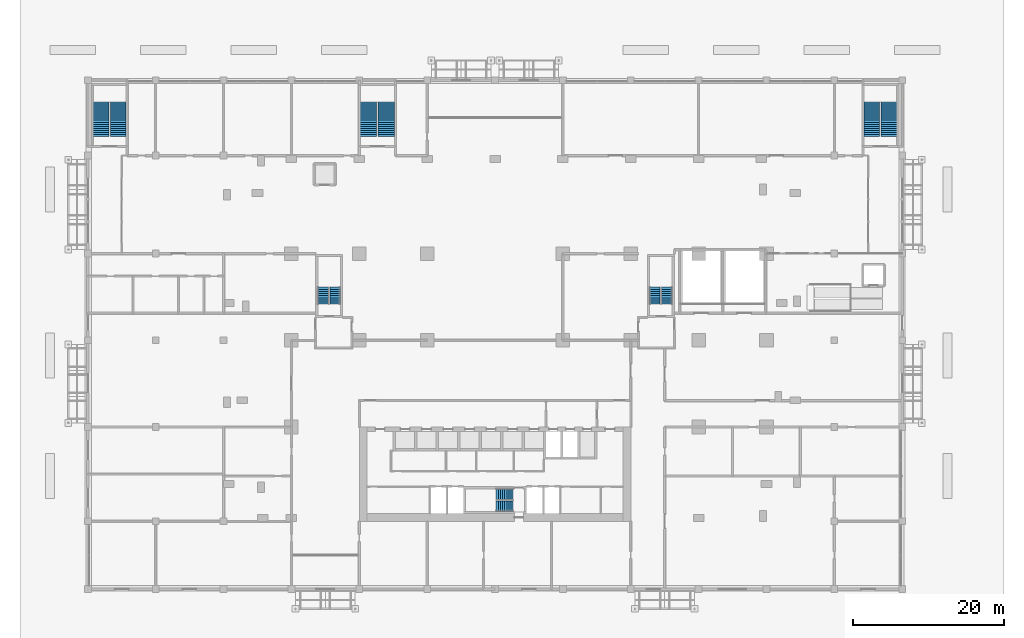
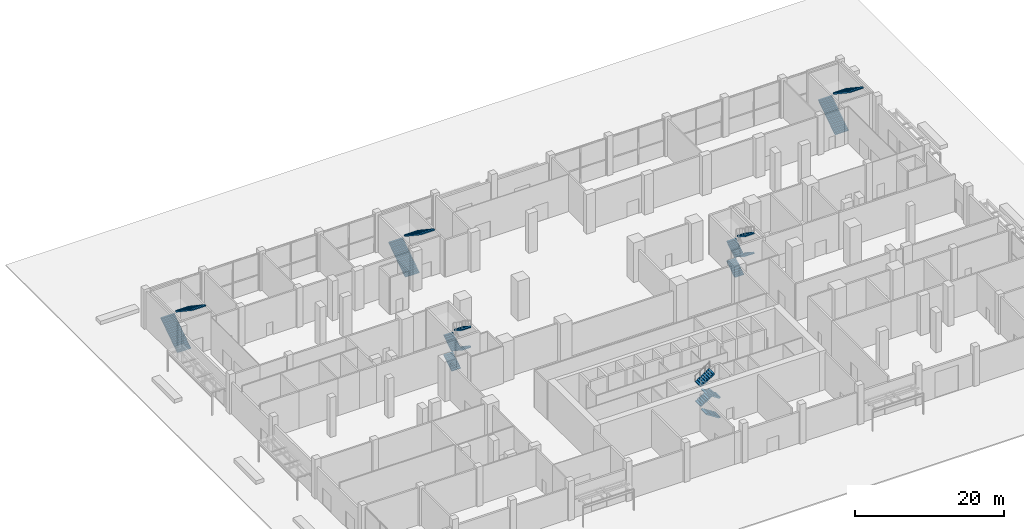
# One storey, part 37 of 39: 18 stair flights, 6 elements without a shape of their own.
"""IFC4 building model written with IfcOpenShell, lengths in metres."""

from ifc_helpers import new_model, si_unit, direction, frame, origin, place, context, subcontext, project, spatial, polyline, outline, extrude, material, layer, layer_set, type_object, element, aggregate, save


model = new_model("IFC4")

# Units and contexts
model_context = context("Model", 3, precision=1e-05, world=origin(), true_north=direction((0.0, 1.0)))
body_context = subcontext(model_context, "Body", "Model", "MODEL_VIEW")
ifc_project = project(units=[si_unit("LENGTHUNIT", "METRE"), si_unit("AREAUNIT", "SQUARE_METRE"), si_unit("VOLUMEUNIT", "CUBIC_METRE"), si_unit("PLANEANGLEUNIT", "RADIAN"), si_unit("MASSUNIT", "GRAM", prefix="KILO")], contexts=[model_context])

# Site, building, storey
site_placement = place(None, origin())
site = spatial("IfcSite", under=ifc_project, at=site_placement, CompositionType="ELEMENT")
building_placement = place(site_placement, origin())
building = spatial("IfcBuilding", under=site, at=building_placement, Name="Brigalow Station Residences", CompositionType="ELEMENT")
storey_placement = place(building_placement, origin())
storey = spatial("IfcBuildingStorey", under=building, at=storey_placement, Name="L00", CompositionType="ELEMENT", Elevation=0.0)

# Stair, stair flights
ifc_material_1 = material(Name="Concrete C50", Category="concrete")
stair_type_1 = type_object("IfcStairType", Name="EXIT STAIR 1400 4 FLIGHT", PredefinedType="DOUBLE_RETURN_STAIR", material=ifc_material_1)
stair_1_placement = place(storey_placement, origin())
stair_1 = element("IfcStair", 1, at=stair_1_placement, inside=storey, type_object=stair_type_1, Name="EXIT STAIR S2 L00", PredefinedType="DOUBLE_RETURN_STAIR")
ifc_material_2 = material(Name="Concrete C50", Category="concrete")
stair_flight_type_1 = type_object("IfcStairFlightType", Name="STAIR FLIGHT 1400", PredefinedType="STRAIGHT", material=ifc_material_2)
stair_flight_1_placement = place(storey_placement, frame((38.39990234375, 2.0, 0.0), z_axis=(0.0, 0.0, 1.0), x_axis=(-1.0, 0.0, 0.0)))
stair_flight_1 = element("IfcStairFlight", 2, at=stair_flight_1_placement, type_object=stair_flight_type_1, Name="ST-2 flight 1", NumberOfRisers=9, NumberOfTreads=8, PredefinedType="STRAIGHT", RiserHeight=0.180555556, TreadLength=0.28, context=body_context, shape_type="SweptSolid", body=[
    extrude(outline(polyline([(0.0, 0.0), (0.0, 0.1806640625), (0.280029296875, 0.1806640625), (0.280029296875, 0.361083984375), (0.56005859375, 0.361083984375), (0.56005859375, 0.541748046875), (0.840087890625, 0.541748046875), (0.840087890625, 0.72216796875), (1.1201171875, 0.72216796875), (1.1201171875, 0.90283203125), (1.39990234375, 0.90283203125), (1.39990234375, 1.083251953125), (1.679931640625, 1.083251953125), (1.679931640625, 1.263916015625), (1.9599609375, 1.263916015625), (1.9599609375, 1.4443359375), (2.239990234375, 1.4443359375), (2.239990234375, 1.625), (2.239990234375, 1.26611328125), (0.276611328125, 0.0), (0.0, 0.0)])), frame((0.0, 0.699951171875, 0.0), z_axis=(0.0, -1.0, 0.0), x_axis=(1.0, 0.0, 0.0)), (0.0, 0.0, 1.0), 1.39990234375),
])
stair_flight_2_placement = place(storey_placement, frame((36.159912109375, 3.60009765625, 1.625), z_axis=(0.0, 0.0, 1.0), x_axis=(1.0, 0.0, 0.0)))
stair_flight_2 = element("IfcStairFlight", 3, at=stair_flight_2_placement, type_object=stair_flight_type_1, Name="ST-2 flight 2", NumberOfRisers=9, NumberOfTreads=8, PredefinedType="STRAIGHT", RiserHeight=0.180555556, TreadLength=0.28, context=body_context, shape_type="SweptSolid", body=[
    extrude(outline(polyline([(0.0, 0.0), (0.0, 0.1806640625), (0.280029296875, 0.1806640625), (0.280029296875, 0.361083984375), (0.56005859375, 0.361083984375), (0.56005859375, 0.541748046875), (0.840087890625, 0.541748046875), (0.840087890625, 0.72216796875), (1.1201171875, 0.72216796875), (1.1201171875, 0.90283203125), (1.39990234375, 0.90283203125), (1.39990234375, 1.083251953125), (1.679931640625, 1.083251953125), (1.679931640625, 1.263916015625), (1.9599609375, 1.263916015625), (1.9599609375, 1.4443359375), (2.239990234375, 1.4443359375), (2.239990234375, 1.625), (2.239990234375, 1.26611328125), (0.276611328125, 0.0), (0.0, 0.0)])), frame((0.0, 0.699951171875, 0.0), z_axis=(0.0, -1.0, 0.0), x_axis=(1.0, 0.0, 0.0)), (0.0, 0.0, 1.0), 1.39990234375),
])
stair_flight_3_placement = place(storey_placement, frame((38.39990234375, 2.0, 3.25), z_axis=(0.0, 0.0, 1.0), x_axis=(-1.0, 0.0, 0.0)))
stair_flight_3 = element("IfcStairFlight", 4, at=stair_flight_3_placement, type_object=stair_flight_type_1, Name="ST-2 flight 3", NumberOfRisers=9, NumberOfTreads=8, PredefinedType="STRAIGHT", RiserHeight=0.180555556, TreadLength=0.28, context=body_context, shape_type="SweptSolid", body=[
    extrude(outline(polyline([(0.0, 0.0), (0.0, 0.1806640625), (0.280029296875, 0.1806640625), (0.280029296875, 0.361083984375), (0.56005859375, 0.361083984375), (0.56005859375, 0.541748046875), (0.840087890625, 0.541748046875), (0.840087890625, 0.72216796875), (1.1201171875, 0.72216796875), (1.1201171875, 0.90283203125), (1.39990234375, 0.90283203125), (1.39990234375, 1.083251953125), (1.679931640625, 1.083251953125), (1.679931640625, 1.263916015625), (1.9599609375, 1.263916015625), (1.9599609375, 1.4443359375), (2.239990234375, 1.4443359375), (2.239990234375, 1.625), (2.239990234375, 1.26611328125), (0.276611328125, 0.0), (0.0, 0.0)])), frame((0.0, 0.699951171875, 0.0), z_axis=(0.0, -1.0, 0.0), x_axis=(1.0, 0.0, 0.0)), (0.0, 0.0, 1.0), 1.39990234375),
])
stair_flight_4_placement = place(storey_placement, frame((36.159912109375, 3.60009765625, 4.875), z_axis=(0.0, 0.0, 1.0), x_axis=(1.0, 0.0, 0.0)))
stair_flight_4 = element("IfcStairFlight", 5, at=stair_flight_4_placement, type_object=stair_flight_type_1, Name="ST-2 flight 4", NumberOfRisers=9, NumberOfTreads=8, PredefinedType="STRAIGHT", RiserHeight=0.180555556, TreadLength=0.28, context=body_context, shape_type="SweptSolid", body=[
    extrude(outline(polyline([(0.0, 0.0), (0.0, 0.1806640625), (0.280029296875, 0.1806640625), (0.280029296875, 0.361083984375), (0.56005859375, 0.361083984375), (0.56005859375, 0.541748046875), (0.840087890625, 0.541748046875), (0.840087890625, 0.72216796875), (1.1201171875, 0.72216796875), (1.1201171875, 0.90283203125), (1.39990234375, 0.90283203125), (1.39990234375, 1.083251953125), (1.679931640625, 1.083251953125), (1.679931640625, 1.263916015625), (1.9599609375, 1.263916015625), (1.9599609375, 1.4443359375), (2.239990234375, 1.4443359375), (2.239990234375, 1.625), (2.239990234375, 1.26611328125), (0.276611328125, 0.0), (0.0, 0.0)])), frame((0.0, 0.699951171875, 0.0), z_axis=(0.0, -1.0, 0.0), x_axis=(1.0, 0.0, 0.0)), (0.0, 0.0, 1.0), 1.39990234375),
])
aggregate(stair_1, [stair_flight_1, stair_flight_2, stair_flight_3, stair_flight_4])

stair_2_placement = place(storey_placement, origin())
stair_2 = element("IfcStair", 6, at=stair_2_placement, inside=storey, type_object=stair_type_1, Name="EXIT STAIR S1 L00", PredefinedType="DOUBLE_RETURN_STAIR")
stair_flight_5_placement = place(storey_placement, frame((13.199951171875, 28.800048828125, 0.0), z_axis=(0.0, 0.0, 1.0), x_axis=(0.0, 1.0, 0.0)))
stair_flight_5 = element("IfcStairFlight", 7, at=stair_flight_5_placement, type_object=stair_flight_type_1, Name="ST-1 flight 1", NumberOfRisers=9, NumberOfTreads=8, PredefinedType="STRAIGHT", RiserHeight=0.180555556, TreadLength=0.28, context=body_context, shape_type="SweptSolid", body=[
    extrude(outline(polyline([(0.0, 0.0), (0.0, 0.1806640625), (0.280029296875, 0.1806640625), (0.280029296875, 0.361083984375), (0.56005859375, 0.361083984375), (0.56005859375, 0.541748046875), (0.840087890625, 0.541748046875), (0.840087890625, 0.72216796875), (1.1201171875, 0.72216796875), (1.1201171875, 0.90283203125), (1.39990234375, 0.90283203125), (1.39990234375, 1.083251953125), (1.679931640625, 1.083251953125), (1.679931640625, 1.263916015625), (1.9599609375, 1.263916015625), (1.9599609375, 1.4443359375), (2.239990234375, 1.4443359375), (2.239990234375, 1.625), (2.239990234375, 1.26611328125), (0.276611328125, 0.0), (0.0, 0.0)])), frame((0.0, 0.699951171875, 0.0), z_axis=(0.0, -1.0, 0.0), x_axis=(1.0, 0.0, 0.0)), (0.0, 0.0, 1.0), 1.39990234375),
])
stair_flight_6_placement = place(storey_placement, frame((14.800048828125, 31.0400390625, 1.625), z_axis=(0.0, 0.0, 1.0), x_axis=(0.0, -1.0, 0.0)))
stair_flight_6 = element("IfcStairFlight", 8, at=stair_flight_6_placement, type_object=stair_flight_type_1, Name="ST-1 flight 2", NumberOfRisers=9, NumberOfTreads=8, PredefinedType="STRAIGHT", RiserHeight=0.180555556, TreadLength=0.28, context=body_context, shape_type="SweptSolid", body=[
    extrude(outline(polyline([(0.0, 0.0), (0.0, 0.1806640625), (0.280029296875, 0.1806640625), (0.280029296875, 0.361083984375), (0.56005859375, 0.361083984375), (0.56005859375, 0.541748046875), (0.840087890625, 0.541748046875), (0.840087890625, 0.72216796875), (1.1201171875, 0.72216796875), (1.1201171875, 0.90283203125), (1.39990234375, 0.90283203125), (1.39990234375, 1.083251953125), (1.679931640625, 1.083251953125), (1.679931640625, 1.263916015625), (1.9599609375, 1.263916015625), (1.9599609375, 1.4443359375), (2.239990234375, 1.4443359375), (2.239990234375, 1.625), (2.239990234375, 1.26611328125), (0.276611328125, 0.0), (0.0, 0.0)])), frame((0.0, 0.699951171875, 0.0), z_axis=(0.0, -1.0, 0.0), x_axis=(1.0, 0.0, 0.0)), (0.0, 0.0, 1.0), 1.39990234375),
])
stair_flight_7_placement = place(storey_placement, frame((13.199951171875, 28.800048828125, 3.25), z_axis=(0.0, 0.0, 1.0), x_axis=(0.0, 1.0, 0.0)))
stair_flight_7 = element("IfcStairFlight", 9, at=stair_flight_7_placement, type_object=stair_flight_type_1, Name="ST-1 flight 3", NumberOfRisers=9, NumberOfTreads=8, PredefinedType="STRAIGHT", RiserHeight=0.180555556, TreadLength=0.28, context=body_context, shape_type="SweptSolid", body=[
    extrude(outline(polyline([(0.0, 0.0), (0.0, 0.1806640625), (0.280029296875, 0.1806640625), (0.280029296875, 0.361083984375), (0.56005859375, 0.361083984375), (0.56005859375, 0.541748046875), (0.840087890625, 0.541748046875), (0.840087890625, 0.72216796875), (1.1201171875, 0.72216796875), (1.1201171875, 0.90283203125), (1.39990234375, 0.90283203125), (1.39990234375, 1.083251953125), (1.679931640625, 1.083251953125), (1.679931640625, 1.263916015625), (1.9599609375, 1.263916015625), (1.9599609375, 1.4443359375), (2.239990234375, 1.4443359375), (2.239990234375, 1.625), (2.239990234375, 1.26611328125), (0.276611328125, 0.0), (0.0, 0.0)])), frame((0.0, 0.699951171875, 0.0), z_axis=(0.0, -1.0, 0.0), x_axis=(1.0, 0.0, 0.0)), (0.0, 0.0, 1.0), 1.39990234375),
])
stair_flight_8_placement = place(storey_placement, frame((14.800048828125, 31.0400390625, 4.875), z_axis=(0.0, 0.0, 1.0), x_axis=(0.0, -1.0, 0.0)))
stair_flight_8 = element("IfcStairFlight", 10, at=stair_flight_8_placement, type_object=stair_flight_type_1, Name="ST-1 flight 4", NumberOfRisers=9, NumberOfTreads=8, PredefinedType="STRAIGHT", RiserHeight=0.180555556, TreadLength=0.28, context=body_context, shape_type="SweptSolid", body=[
    extrude(outline(polyline([(0.0, 0.0), (0.0, 0.1806640625), (0.280029296875, 0.1806640625), (0.280029296875, 0.361083984375), (0.56005859375, 0.361083984375), (0.56005859375, 0.541748046875), (0.840087890625, 0.541748046875), (0.840087890625, 0.72216796875), (1.1201171875, 0.72216796875), (1.1201171875, 0.90283203125), (1.39990234375, 0.90283203125), (1.39990234375, 1.083251953125), (1.679931640625, 1.083251953125), (1.679931640625, 1.263916015625), (1.9599609375, 1.263916015625), (1.9599609375, 1.4443359375), (2.239990234375, 1.4443359375), (2.239990234375, 1.625), (2.239990234375, 1.26611328125), (0.276611328125, 0.0), (0.0, 0.0)])), frame((0.0, 0.699951171875, 0.0), z_axis=(0.0, -1.0, 0.0), x_axis=(1.0, 0.0, 0.0)), (0.0, 0.0, 1.0), 1.39990234375),
])
aggregate(stair_2, [stair_flight_5, stair_flight_6, stair_flight_7, stair_flight_8])

stair_3_placement = place(storey_placement, origin())
stair_3 = element("IfcStair", 11, at=stair_3_placement, inside=storey, type_object=stair_type_1, Name="EXIT STAIR S3 L00", PredefinedType="DOUBLE_RETURN_STAIR")
stair_flight_9_placement = place(storey_placement, frame((57.199951171875, 28.800048828125, 0.0), z_axis=(0.0, 0.0, 1.0), x_axis=(0.0, 1.0, 0.0)))
stair_flight_9 = element("IfcStairFlight", 12, at=stair_flight_9_placement, type_object=stair_flight_type_1, Name="ST-3 flight 1", NumberOfRisers=9, NumberOfTreads=8, PredefinedType="STRAIGHT", RiserHeight=0.180555556, TreadLength=0.28, context=body_context, shape_type="SweptSolid", body=[
    extrude(outline(polyline([(0.0, 0.0), (0.0, 0.1806640625), (0.280029296875, 0.1806640625), (0.280029296875, 0.361083984375), (0.56005859375, 0.361083984375), (0.56005859375, 0.541748046875), (0.840087890625, 0.541748046875), (0.840087890625, 0.72216796875), (1.1201171875, 0.72216796875), (1.1201171875, 0.90283203125), (1.39990234375, 0.90283203125), (1.39990234375, 1.083251953125), (1.679931640625, 1.083251953125), (1.679931640625, 1.263916015625), (1.9599609375, 1.263916015625), (1.9599609375, 1.4443359375), (2.239990234375, 1.4443359375), (2.239990234375, 1.625), (2.239990234375, 1.26611328125), (0.276611328125, 0.0), (0.0, 0.0)])), frame((0.0, 0.699951171875, 0.0), z_axis=(0.0, -1.0, 0.0), x_axis=(1.0, 0.0, 0.0)), (0.0, 0.0, 1.0), 1.39990234375),
])
stair_flight_10_placement = place(storey_placement, frame((58.800048828125, 31.0400390625, 1.625), z_axis=(0.0, 0.0, 1.0), x_axis=(0.0, -1.0, 0.0)))
stair_flight_10 = element("IfcStairFlight", 13, at=stair_flight_10_placement, type_object=stair_flight_type_1, Name="ST-3 flight 2", NumberOfRisers=9, NumberOfTreads=8, PredefinedType="STRAIGHT", RiserHeight=0.180555556, TreadLength=0.28, context=body_context, shape_type="SweptSolid", body=[
    extrude(outline(polyline([(0.0, 0.0), (0.0, 0.1806640625), (0.280029296875, 0.1806640625), (0.280029296875, 0.361083984375), (0.56005859375, 0.361083984375), (0.56005859375, 0.541748046875), (0.840087890625, 0.541748046875), (0.840087890625, 0.72216796875), (1.1201171875, 0.72216796875), (1.1201171875, 0.90283203125), (1.39990234375, 0.90283203125), (1.39990234375, 1.083251953125), (1.679931640625, 1.083251953125), (1.679931640625, 1.263916015625), (1.9599609375, 1.263916015625), (1.9599609375, 1.4443359375), (2.239990234375, 1.4443359375), (2.239990234375, 1.625), (2.239990234375, 1.26611328125), (0.276611328125, 0.0), (0.0, 0.0)])), frame((0.0, 0.699951171875, 0.0), z_axis=(0.0, -1.0, 0.0), x_axis=(1.0, 0.0, 0.0)), (0.0, 0.0, 1.0), 1.39990234375),
])
stair_flight_11_placement = place(storey_placement, frame((57.199951171875, 28.800048828125, 3.25), z_axis=(0.0, 0.0, 1.0), x_axis=(0.0, 1.0, 0.0)))
stair_flight_11 = element("IfcStairFlight", 14, at=stair_flight_11_placement, type_object=stair_flight_type_1, Name="ST-3 flight 3", NumberOfRisers=9, NumberOfTreads=8, PredefinedType="STRAIGHT", RiserHeight=0.180555556, TreadLength=0.28, context=body_context, shape_type="SweptSolid", body=[
    extrude(outline(polyline([(0.0, 0.0), (0.0, 0.1806640625), (0.280029296875, 0.1806640625), (0.280029296875, 0.361083984375), (0.56005859375, 0.361083984375), (0.56005859375, 0.541748046875), (0.840087890625, 0.541748046875), (0.840087890625, 0.72216796875), (1.1201171875, 0.72216796875), (1.1201171875, 0.90283203125), (1.39990234375, 0.90283203125), (1.39990234375, 1.083251953125), (1.679931640625, 1.083251953125), (1.679931640625, 1.263916015625), (1.9599609375, 1.263916015625), (1.9599609375, 1.4443359375), (2.239990234375, 1.4443359375), (2.239990234375, 1.625), (2.239990234375, 1.26611328125), (0.276611328125, 0.0), (0.0, 0.0)])), frame((0.0, 0.699951171875, 0.0), z_axis=(0.0, -1.0, 0.0), x_axis=(1.0, 0.0, 0.0)), (0.0, 0.0, 1.0), 1.39990234375),
])
stair_flight_12_placement = place(storey_placement, frame((58.800048828125, 31.0400390625, 4.875), z_axis=(0.0, 0.0, 1.0), x_axis=(0.0, -1.0, 0.0)))
stair_flight_12 = element("IfcStairFlight", 15, at=stair_flight_12_placement, type_object=stair_flight_type_1, Name="ST-3 flight 4", NumberOfRisers=9, NumberOfTreads=8, PredefinedType="STRAIGHT", RiserHeight=0.180555556, TreadLength=0.28, context=body_context, shape_type="SweptSolid", body=[
    extrude(outline(polyline([(0.0, 0.0), (0.0, 0.1806640625), (0.280029296875, 0.1806640625), (0.280029296875, 0.361083984375), (0.56005859375, 0.361083984375), (0.56005859375, 0.541748046875), (0.840087890625, 0.541748046875), (0.840087890625, 0.72216796875), (1.1201171875, 0.72216796875), (1.1201171875, 0.90283203125), (1.39990234375, 0.90283203125), (1.39990234375, 1.083251953125), (1.679931640625, 1.083251953125), (1.679931640625, 1.263916015625), (1.9599609375, 1.263916015625), (1.9599609375, 1.4443359375), (2.239990234375, 1.4443359375), (2.239990234375, 1.625), (2.239990234375, 1.26611328125), (0.276611328125, 0.0), (0.0, 0.0)])), frame((0.0, 0.699951171875, 0.0), z_axis=(0.0, -1.0, 0.0), x_axis=(1.0, 0.0, 0.0)), (0.0, 0.0, 1.0), 1.39990234375),
])
aggregate(stair_3, [stair_flight_9, stair_flight_10, stair_flight_11, stair_flight_12])

ifc_material_3 = material(Name="Concrete C50", Category="concrete")
stair_type_2 = type_object("IfcStairType", Name="STAIR EXIT 2087 2 FLIGHTS", PredefinedType="TWO_STRAIGHT_RUN_STAIR", material=ifc_material_3)
stair_4_placement = place(storey_placement, origin())
stair_4 = element("IfcStair", 16, at=stair_4_placement, inside=storey, type_object=stair_type_2, Name="Exit stair ST-4", PredefinedType="TWO_STRAIGHT_RUN_STAIR")
ifc_material_4 = material(Name="Concrete C50", Category="concrete")
ifc_layer_1 = layer(ifc_material_4, 0.14990234375)
ifc_layer_set_1 = layer_set([ifc_layer_1], Name="STAIR FLIGHT 2087")
stair_flight_type_2 = type_object("IfcStairFlightType", Name="STAIR FLIGHT 2087", PredefinedType="STRAIGHT", material=ifc_layer_set_1)
stair_flight_13_placement = place(storey_placement, frame((-16.256103515625, 51.02490234375, 0.0), z_axis=(0.0, 0.0, 1.0), x_axis=(0.0, 1.0, 0.0)))
stair_flight_13 = element("IfcStairFlight", 17, at=stair_flight_13_placement, type_object=stair_flight_type_2, Name="ST-4 flight 1", NumberOfRisers=18, NumberOfTreads=17, PredefinedType="STRAIGHT", RiserHeight=0.180555556, TreadLength=0.27, context=body_context, shape_type="SweptSolid", body=[
    extrude(outline(polyline([(0.0, 0.0), (0.0, 0.1806640625), (0.27001953125, 0.1806640625), (0.27001953125, 0.361083984375), (0.5400390625, 0.361083984375), (0.5400390625, 0.541748046875), (0.81005859375, 0.541748046875), (0.81005859375, 0.72216796875), (1.080078125, 0.72216796875), (1.080078125, 0.90283203125), (1.35009765625, 0.90283203125), (1.35009765625, 1.083251953125), (1.6201171875, 1.083251953125), (1.6201171875, 1.263916015625), (1.889892578125, 1.263916015625), (1.889892578125, 1.4443359375), (2.159912109375, 1.4443359375), (2.159912109375, 1.625), (2.429931640625, 1.625), (2.429931640625, 1.8056640625), (2.699951171875, 1.8056640625), (2.699951171875, 1.986083984375), (2.969970703125, 1.986083984375), (2.969970703125, 2.166748046875), (3.239990234375, 2.166748046875), (3.239990234375, 2.34716796875), (3.510009765625, 2.34716796875), (3.510009765625, 2.52783203125), (3.780029296875, 2.52783203125), (3.780029296875, 2.708251953125), (4.050048828125, 2.708251953125), (4.050048828125, 2.888916015625), (4.320068359375, 2.888916015625), (4.320068359375, 3.0693359375), (4.590087890625, 3.0693359375), (4.590087890625, 3.25), (4.590087890625, 2.88916015625), (0.269775390625, 0.0), (0.0, 0.0)])), frame((0.0, 1.04345703125, 0.0), z_axis=(0.0, -1.0, 0.0), x_axis=(1.0, 0.0, 0.0)), (0.0, 0.0, 1.0), 2.0869140625),
])
stair_flight_14_placement = place(storey_placement, frame((-13.968994140625, 55.614990234375, 3.25), z_axis=(0.0, 0.0, 1.0), x_axis=(0.0, -1.0, 0.0)))
stair_flight_14 = element("IfcStairFlight", 18, at=stair_flight_14_placement, type_object=stair_flight_type_2, Name="ST-4 flight 2", NumberOfRisers=18, NumberOfTreads=17, PredefinedType="STRAIGHT", RiserHeight=0.180555556, TreadLength=0.27, context=body_context, shape_type="SweptSolid", body=[
    extrude(outline(polyline([(0.0, 0.0), (0.0, 0.1806640625), (0.27001953125, 0.1806640625), (0.27001953125, 0.361083984375), (0.5400390625, 0.361083984375), (0.5400390625, 0.541748046875), (0.81005859375, 0.541748046875), (0.81005859375, 0.72216796875), (1.080078125, 0.72216796875), (1.080078125, 0.90283203125), (1.35009765625, 0.90283203125), (1.35009765625, 1.083251953125), (1.6201171875, 1.083251953125), (1.6201171875, 1.263916015625), (1.889892578125, 1.263916015625), (1.889892578125, 1.4443359375), (2.159912109375, 1.4443359375), (2.159912109375, 1.625), (2.429931640625, 1.625), (2.429931640625, 1.8056640625), (2.699951171875, 1.8056640625), (2.699951171875, 1.986083984375), (2.969970703125, 1.986083984375), (2.969970703125, 2.166748046875), (3.239990234375, 2.166748046875), (3.239990234375, 2.34716796875), (3.510009765625, 2.34716796875), (3.510009765625, 2.52783203125), (3.780029296875, 2.52783203125), (3.780029296875, 2.708251953125), (4.050048828125, 2.708251953125), (4.050048828125, 2.888916015625), (4.320068359375, 2.888916015625), (4.320068359375, 3.0693359375), (4.590087890625, 3.0693359375), (4.590087890625, 3.25), (4.590087890625, 2.88916015625), (0.269775390625, 0.0), (0.0, 0.0)])), frame((0.0, 1.04345703125, 0.0), z_axis=(0.0, -1.0, 0.0), x_axis=(1.0, 0.0, 0.0)), (0.0, 0.0, 1.0), 2.0869140625),
])
aggregate(stair_4, [stair_flight_13, stair_flight_14])

stair_5_placement = place(storey_placement, origin())
stair_5 = element("IfcStair", 19, at=stair_5_placement, inside=storey, type_object=stair_type_2, Name="Exit stair ST-5", PredefinedType="TWO_STRAIGHT_RUN_STAIR")
stair_flight_15_placement = place(storey_placement, frame((85.968994140625, 51.02490234375, 0.0), z_axis=(0.0, 0.0, 1.0), x_axis=(0.0, 1.0, 0.0)))
stair_flight_15 = element("IfcStairFlight", 20, at=stair_flight_15_placement, type_object=stair_flight_type_2, Name="ST-5 flight 1", NumberOfRisers=18, NumberOfTreads=17, PredefinedType="STRAIGHT", RiserHeight=0.180555556, TreadLength=0.27, context=body_context, shape_type="SweptSolid", body=[
    extrude(outline(polyline([(0.0, 0.0), (0.0, 0.1806640625), (0.27001953125, 0.1806640625), (0.27001953125, 0.361083984375), (0.5400390625, 0.361083984375), (0.5400390625, 0.541748046875), (0.81005859375, 0.541748046875), (0.81005859375, 0.72216796875), (1.080078125, 0.72216796875), (1.080078125, 0.90283203125), (1.35009765625, 0.90283203125), (1.35009765625, 1.083251953125), (1.6201171875, 1.083251953125), (1.6201171875, 1.263916015625), (1.889892578125, 1.263916015625), (1.889892578125, 1.4443359375), (2.159912109375, 1.4443359375), (2.159912109375, 1.625), (2.429931640625, 1.625), (2.429931640625, 1.8056640625), (2.699951171875, 1.8056640625), (2.699951171875, 1.986083984375), (2.969970703125, 1.986083984375), (2.969970703125, 2.166748046875), (3.239990234375, 2.166748046875), (3.239990234375, 2.34716796875), (3.510009765625, 2.34716796875), (3.510009765625, 2.52783203125), (3.780029296875, 2.52783203125), (3.780029296875, 2.708251953125), (4.050048828125, 2.708251953125), (4.050048828125, 2.888916015625), (4.320068359375, 2.888916015625), (4.320068359375, 3.0693359375), (4.590087890625, 3.0693359375), (4.590087890625, 3.25), (4.590087890625, 2.88916015625), (0.269775390625, 0.0), (0.0, 0.0)])), frame((0.0, 1.04345703125, 0.0), z_axis=(0.0, -1.0, 0.0), x_axis=(1.0, 0.0, 0.0)), (0.0, 0.0, 1.0), 2.0869140625),
])
stair_flight_16_placement = place(storey_placement, frame((88.256103515625, 55.614990234375, 3.25), z_axis=(0.0, 0.0, 1.0), x_axis=(0.0, -1.0, 0.0)))
stair_flight_16 = element("IfcStairFlight", 21, at=stair_flight_16_placement, type_object=stair_flight_type_2, Name="ST-5 flight 2", NumberOfRisers=18, NumberOfTreads=17, PredefinedType="STRAIGHT", RiserHeight=0.180555556, TreadLength=0.27, context=body_context, shape_type="SweptSolid", body=[
    extrude(outline(polyline([(0.0, 0.0), (0.0, 0.1806640625), (0.27001953125, 0.1806640625), (0.27001953125, 0.361083984375), (0.5400390625, 0.361083984375), (0.5400390625, 0.541748046875), (0.81005859375, 0.541748046875), (0.81005859375, 0.72216796875), (1.080078125, 0.72216796875), (1.080078125, 0.90283203125), (1.35009765625, 0.90283203125), (1.35009765625, 1.083251953125), (1.6201171875, 1.083251953125), (1.6201171875, 1.263916015625), (1.889892578125, 1.263916015625), (1.889892578125, 1.4443359375), (2.159912109375, 1.4443359375), (2.159912109375, 1.625), (2.429931640625, 1.625), (2.429931640625, 1.8056640625), (2.699951171875, 1.8056640625), (2.699951171875, 1.986083984375), (2.969970703125, 1.986083984375), (2.969970703125, 2.166748046875), (3.239990234375, 2.166748046875), (3.239990234375, 2.34716796875), (3.510009765625, 2.34716796875), (3.510009765625, 2.52783203125), (3.780029296875, 2.52783203125), (3.780029296875, 2.708251953125), (4.050048828125, 2.708251953125), (4.050048828125, 2.888916015625), (4.320068359375, 2.888916015625), (4.320068359375, 3.0693359375), (4.590087890625, 3.0693359375), (4.590087890625, 3.25), (4.590087890625, 2.88916015625), (0.269775390625, 0.0), (0.0, 0.0)])), frame((0.0, 1.04345703125, 0.0), z_axis=(0.0, -1.0, 0.0), x_axis=(1.0, 0.0, 0.0)), (0.0, 0.0, 1.0), 2.0869140625),
])
aggregate(stair_5, [stair_flight_15, stair_flight_16])

ifc_material_5 = material(Name="Concrete C50", Category="concrete")
stair_type_3 = type_object("IfcStairType", Name="STAIR EXIT 2175 2 FLIGHTS", PredefinedType="TWO_STRAIGHT_RUN_STAIR", material=ifc_material_5)
stair_6_placement = place(storey_placement, origin())
stair_6 = element("IfcStair", 22, at=stair_6_placement, inside=storey, type_object=stair_type_3, Name="Exit stair ST-6", PredefinedType="TWO_STRAIGHT_RUN_STAIR")
ifc_material_6 = material(Name="Concrete C50", Category="concrete")
ifc_layer_2 = layer(ifc_material_6, 0.14990234375)
ifc_layer_set_2 = layer_set([ifc_layer_2], Name="STAIR FLIGHT 2175")
stair_flight_type_3 = type_object("IfcStairFlightType", Name="STAIR FLIGHT 2175", PredefinedType="STRAIGHT", material=ifc_layer_set_2)
stair_flight_17_placement = place(storey_placement, frame((19.2119140625, 51.02490234375, 0.0), z_axis=(0.0, 0.0, 1.0), x_axis=(0.0, 1.0, 0.0)))
stair_flight_17 = element("IfcStairFlight", 23, at=stair_flight_17_placement, type_object=stair_flight_type_3, Name="ST-6 flight 1", NumberOfRisers=18, NumberOfTreads=17, PredefinedType="STRAIGHT", RiserHeight=0.180555556, TreadLength=0.27, context=body_context, shape_type="SweptSolid", body=[
    extrude(outline(polyline([(0.0, 0.0), (0.0, 0.1806640625), (0.27001953125, 0.1806640625), (0.27001953125, 0.361083984375), (0.5400390625, 0.361083984375), (0.5400390625, 0.541748046875), (0.81005859375, 0.541748046875), (0.81005859375, 0.72216796875), (1.080078125, 0.72216796875), (1.080078125, 0.90283203125), (1.35009765625, 0.90283203125), (1.35009765625, 1.083251953125), (1.6201171875, 1.083251953125), (1.6201171875, 1.263916015625), (1.889892578125, 1.263916015625), (1.889892578125, 1.4443359375), (2.159912109375, 1.4443359375), (2.159912109375, 1.625), (2.429931640625, 1.625), (2.429931640625, 1.8056640625), (2.699951171875, 1.8056640625), (2.699951171875, 1.986083984375), (2.969970703125, 1.986083984375), (2.969970703125, 2.166748046875), (3.239990234375, 2.166748046875), (3.239990234375, 2.34716796875), (3.510009765625, 2.34716796875), (3.510009765625, 2.52783203125), (3.780029296875, 2.52783203125), (3.780029296875, 2.708251953125), (4.050048828125, 2.708251953125), (4.050048828125, 2.888916015625), (4.320068359375, 2.888916015625), (4.320068359375, 3.0693359375), (4.590087890625, 3.0693359375), (4.590087890625, 3.25), (4.590087890625, 2.88916015625), (0.269775390625, 0.0), (0.0, 0.0)])), frame((0.0, 1.08740234375, 0.0), z_axis=(0.0, -1.0, 0.0), x_axis=(1.0, 0.0, 0.0)), (0.0, 0.0, 1.0), 2.175048828125),
])
stair_flight_18_placement = place(storey_placement, frame((21.5869140625, 55.614990234375, 3.25), z_axis=(0.0, 0.0, 1.0), x_axis=(0.0, -1.0, 0.0)))
stair_flight_18 = element("IfcStairFlight", 24, at=stair_flight_18_placement, type_object=stair_flight_type_3, Name="ST-6 flight 2", NumberOfRisers=18, NumberOfTreads=17, PredefinedType="STRAIGHT", RiserHeight=0.180555556, TreadLength=0.27, context=body_context, shape_type="SweptSolid", body=[
    extrude(outline(polyline([(0.0, 0.0), (0.0, 0.1806640625), (0.27001953125, 0.1806640625), (0.27001953125, 0.361083984375), (0.5400390625, 0.361083984375), (0.5400390625, 0.541748046875), (0.81005859375, 0.541748046875), (0.81005859375, 0.72216796875), (1.080078125, 0.72216796875), (1.080078125, 0.90283203125), (1.35009765625, 0.90283203125), (1.35009765625, 1.083251953125), (1.6201171875, 1.083251953125), (1.6201171875, 1.263916015625), (1.889892578125, 1.263916015625), (1.889892578125, 1.4443359375), (2.159912109375, 1.4443359375), (2.159912109375, 1.625), (2.429931640625, 1.625), (2.429931640625, 1.8056640625), (2.699951171875, 1.8056640625), (2.699951171875, 1.986083984375), (2.969970703125, 1.986083984375), (2.969970703125, 2.166748046875), (3.239990234375, 2.166748046875), (3.239990234375, 2.34716796875), (3.510009765625, 2.34716796875), (3.510009765625, 2.52783203125), (3.780029296875, 2.52783203125), (3.780029296875, 2.708251953125), (4.050048828125, 2.708251953125), (4.050048828125, 2.888916015625), (4.320068359375, 2.888916015625), (4.320068359375, 3.0693359375), (4.590087890625, 3.0693359375), (4.590087890625, 3.25), (4.590087890625, 2.88916015625), (0.269775390625, 0.0), (0.0, 0.0)])), frame((0.0, 1.08740234375, 0.0), z_axis=(0.0, -1.0, 0.0), x_axis=(1.0, 0.0, 0.0)), (0.0, 0.0, 1.0), 2.175048828125),
])
aggregate(stair_6, [stair_flight_17, stair_flight_18])

save(model, "model.ifc")
